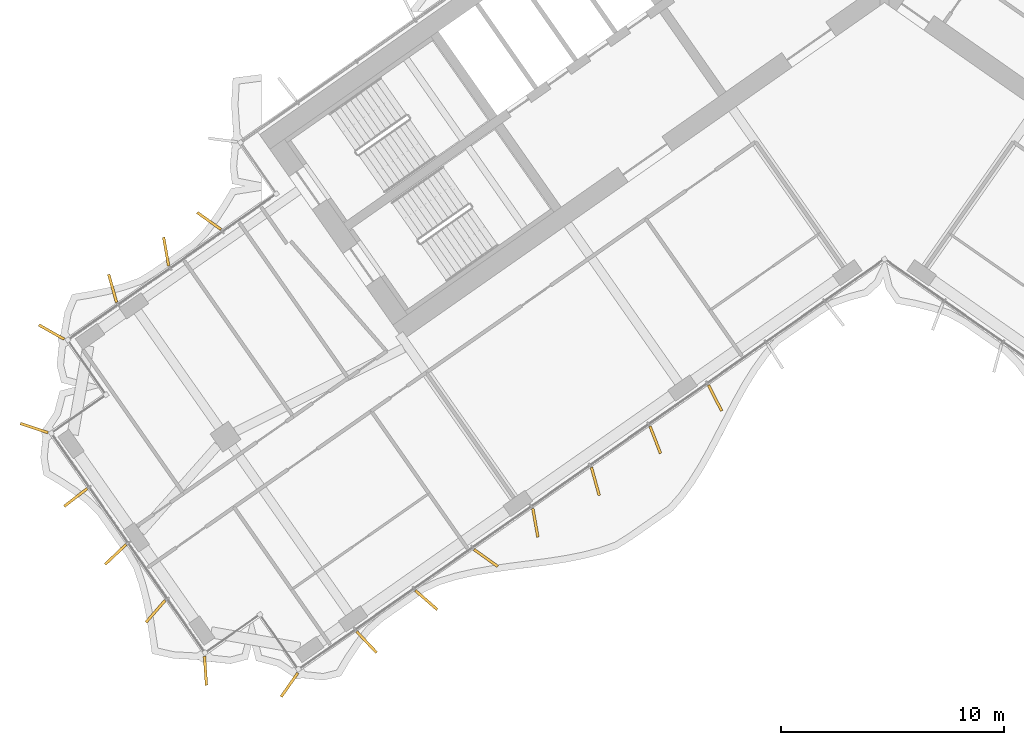
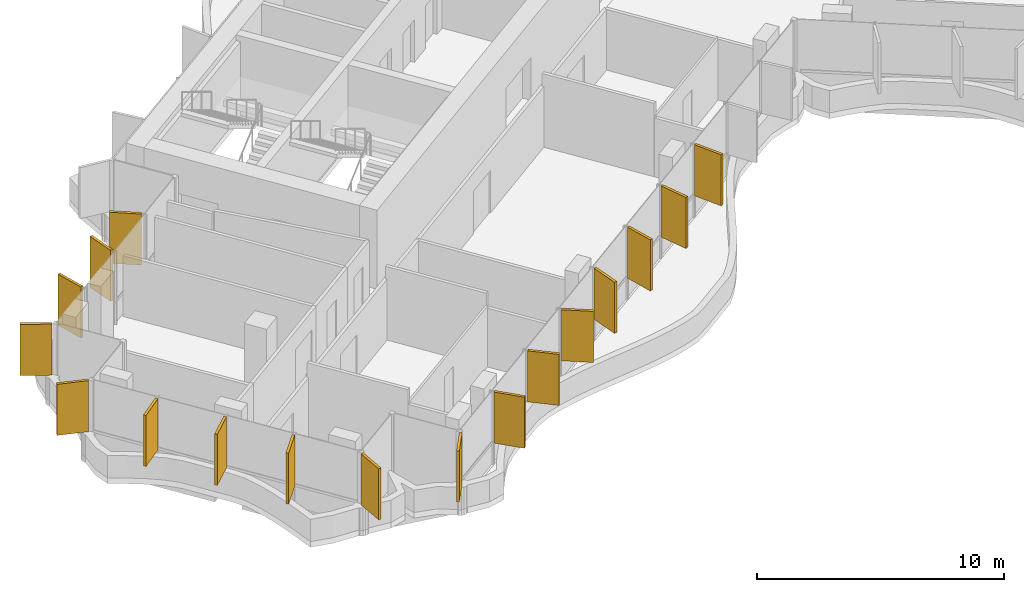
# One storey, part 19 of 23: 17 shading devices.
"""IFC4 building model written with IfcOpenShell, lengths in metres."""

import ifcopenshell
import ifcopenshell.guid

model = None  # the IFC model being written
_history = None  # IfcOwnerHistory: only IFC2X3 demands one
_inside = {}  # id of a spatial element -> (the spatial element, [elements in it])
_under = {}  # id of a project, library or spatial element -> (it, [spatial elements below it])
_declared = {}  # id of a project -> (the project, [libraries it declares])
_typed = {}  # id of a type object -> (the type object, [elements of that type])
_made_of = {}  # id of a material, layer set ... -> (it, [elements and type objects made of it])


def new_model(schema):
    """Start an empty IFC model of exactly this schema.

    Asked for "IFC4X3", IfcOpenShell would pick the latest addendum, in which some entities
    have other attributes; the version numbers below select the first issue.
    IFC2X3 requires an IfcOwnerHistory on every rooted entity: one is made here for all.
    """
    global model, _history
    if schema == "IFC4X3":
        model = ifcopenshell.file(schema_version=(4, 3, 0, 0))
    else:
        model = ifcopenshell.file(schema=schema)
    _inside.clear()
    _under.clear()
    _declared.clear()
    _typed.clear()
    _made_of.clear()
    _history = None
    if model.schema == "IFC2X3":
        org = make("IfcOrganization", Name="unknown")
        user = make(
            "IfcPersonAndOrganization",
            ThePerson=make("IfcPerson", FamilyName="unknown"),
            TheOrganization=org,
        )
        app = make(
            "IfcApplication",
            ApplicationDeveloper=org,
            Version="unknown",
            ApplicationFullName="unknown",
            ApplicationIdentifier="unknown",
        )
        _history = make(
            "IfcOwnerHistory",
            OwningUser=user,
            OwningApplication=app,
            ChangeAction="ADDED",
            CreationDate=0,
        )
    return model


def make(cls, **values):
    """One entity of the class cls with the attributes given. An attribute that is None is left unset."""
    return model.create_entity(
        cls, **{name: value for name, value in values.items() if value is not None}
    )


def rooted(cls, **values):
    """An entity with a GlobalId (a new one), such as an element, a storey or a relation."""
    return make(cls, GlobalId=ifcopenshell.guid.new(), OwnerHistory=_history, **values)


def si_unit(unit_type, name, prefix=None):
    """IfcSIUnit, for example si_unit("LENGTHUNIT", "METRE", prefix="MILLI")."""
    return make("IfcSIUnit", UnitType=unit_type, Prefix=prefix, Name=name)


def assignment(units):
    """IfcUnitAssignment: the units of a project."""
    return None if units is None else make("IfcUnitAssignment", Units=units)


def point(xyz):
    """IfcCartesianPoint."""
    return None if xyz is None else make("IfcCartesianPoint", Coordinates=xyz)


def direction(xyz):
    """IfcDirection."""
    return None if xyz is None else make("IfcDirection", DirectionRatios=xyz)


def frame(location, z_axis=None, x_axis=None):
    """IfcAxis2Placement3D, a coordinate frame: its origin and axes. An axis left out is left unset."""
    return make(
        "IfcAxis2Placement3D",
        Location=point(location),
        Axis=direction(z_axis),
        RefDirection=direction(x_axis),
    )


def frame_2d(location, x_axis=None):
    """IfcAxis2Placement2D, a coordinate frame in the plane: its origin and x axis."""
    return make(
        "IfcAxis2Placement2D", Location=point(location), RefDirection=direction(x_axis)
    )


def origin():
    """The frame at (0, 0, 0) with its axes left unset."""
    return frame((0.0, 0.0, 0.0))


def origin_2d():
    """The frame at (0, 0) in the plane with its x axis left unset."""
    return frame_2d((0.0, 0.0))


def place(relative_to, where):
    """IfcLocalPlacement: puts the frame where relative to a parent placement (None: the world)."""
    return make(
        "IfcLocalPlacement", PlacementRelTo=relative_to, RelativePlacement=where
    )


def context(
    kind, dimensions, precision=None, world=None, true_north=None, identifier=None
):
    """IfcGeometricRepresentationContext, for example the 3D "Model" context."""
    return make(
        "IfcGeometricRepresentationContext",
        ContextIdentifier=identifier,
        ContextType=kind,
        CoordinateSpaceDimension=dimensions,
        Precision=precision,
        WorldCoordinateSystem=world,
        TrueNorth=true_north,
    )


def subcontext(parent, identifier, kind, view, scale=None):
    """IfcGeometricRepresentationSubContext, for example "Body" below "Model"."""
    return make(
        "IfcGeometricRepresentationSubContext",
        ContextIdentifier=identifier,
        ContextType=kind,
        ParentContext=parent,
        TargetScale=scale,
        TargetView=view,
    )


def project(units=None, contexts=None):
    """IfcProject with its units and contexts."""
    return rooted(
        "IfcProject",
        Name="project",
        RepresentationContexts=contexts,
        UnitsInContext=assignment(units),
    )


def spatial(cls, under=None, at=None, **own):
    """A site, building, storey or space (cls), placed at a placement, below another one or the project."""
    s = rooted(cls, ObjectPlacement=at, **own)
    if under is not None:
        _under.setdefault(under.id(), (under, []))[1].append(s)
    return s


def profile(cls, at=None, kind="AREA", **sizes):
    """A parametric profile (cls). Its sizes go by their IFC names, for example OverallWidth=200.0."""
    return make(cls, ProfileType=kind, Position=at, **sizes)


def rectangle(**sizes):
    """IfcRectangleProfileDef."""
    return profile("IfcRectangleProfileDef", **sizes)


def extrude(swept, where, along, depth):
    """IfcExtrudedAreaSolid: the profile swept, set in the frame where, extruded along a direction by depth."""
    return make(
        "IfcExtrudedAreaSolid",
        SweptArea=swept,
        Position=where,
        ExtrudedDirection=direction(along),
        Depth=depth,
    )


def shape(context_of_items, identifier, shape_type, items):
    """IfcShapeRepresentation: the items that make up one representation, for example the "Body"."""
    return make(
        "IfcShapeRepresentation",
        ContextOfItems=context_of_items,
        RepresentationIdentifier=identifier,
        RepresentationType=shape_type,
        Items=items,
    )


def material(Name=None, Category=None):
    """IfcMaterial."""
    return make("IfcMaterial", Name=Name, Category=Category)


def layer(
    of_material, thickness, ventilated=None, Name=None, Category=None, Priority=None
):
    """IfcMaterialLayer: one layer of a wall or slab, of a material (None: an air gap)."""
    return make(
        "IfcMaterialLayer",
        Material=of_material,
        LayerThickness=thickness,
        IsVentilated=ventilated,
        Name=Name,
        Category=Category,
        Priority=Priority,
    )


def layer_set(layers, Name=None):
    """IfcMaterialLayerSet."""
    return make("IfcMaterialLayerSet", MaterialLayers=layers, LayerSetName=Name)


def made_of(thing, what):
    """Note that an element or type object is made of a material, layer set ...; save() writes the relation."""
    if what is not None:
        _made_of.setdefault(what.id(), (what, []))[1].append(thing)
    return thing


def type_object(cls, material=None, **own):
    """A type object (cls), such as IfcWallType, which elements share."""
    return made_of(rooted(cls, **own), material)


def element(
    cls,
    number,
    at=None,
    inside=None,
    cuts=None,
    type_object=None,
    material=None,
    context=None,
    identifier="Body",
    shape_type=None,
    held_by="IfcProductDefinitionShape",
    body=None,
    shapes=None,
    **own,
):
    """One element of the class cls, such as IfcWall. Its Tag is "e" and its number.

    at: its placement. inside: the storey or other place that contains it. cuts: it is an
    opening in that element (IfcRelVoidsElement). A single representation is given by context,
    identifier, shape_type and body (its items); several are given by shapes. held_by: the class
    of the entity that holds the representations. save() writes the other relations.
    """
    e = rooted(cls, Tag="e%d" % number, ObjectPlacement=at, **own)
    if body is not None:
        shapes = [shape(context, identifier, shape_type, body)]
    if shapes is not None:
        e.Representation = make(held_by, Representations=shapes)
    if inside is not None:
        _inside.setdefault(inside.id(), (inside, []))[1].append(e)
    if cuts is not None:
        rooted(
            "IfcRelVoidsElement", RelatingBuildingElement=cuts, RelatedOpeningElement=e
        )
    if type_object is not None:
        _typed.setdefault(type_object.id(), (type_object, []))[1].append(e)
    return made_of(e, material)


def aggregate(whole, parts):
    """IfcRelAggregates: a whole, such as a stair, and the parts it consists of."""
    return rooted("IfcRelAggregates", RelatingObject=whole, RelatedObjects=parts)


def save(model, path):
    """Write the relations noted so far, then the file.

    IfcRelAggregates (storeys below a building ...), IfcRelContainedInSpatialStructure (elements
    in a storey), IfcRelDefinesByType, IfcRelAssociatesMaterial and IfcRelDeclares: one each for
    every whole, place, type object, material and project.
    """
    for whole, parts in _under.values():
        aggregate(whole, parts)
    for where, things in _inside.values():
        rooted(
            "IfcRelContainedInSpatialStructure",
            RelatedElements=things,
            RelatingStructure=where,
        )
    for kind, things in _typed.values():
        rooted("IfcRelDefinesByType", RelatedObjects=things, RelatingType=kind)
    for what, things in _made_of.values():
        rooted("IfcRelAssociatesMaterial", RelatedObjects=things, RelatingMaterial=what)
    for by, libraries in _declared.values():
        rooted("IfcRelDeclares", RelatingContext=by, RelatedDefinitions=libraries)
    model.write(path)


model = new_model("IFC4")

# Units and contexts
model_context = context("Model", 3, precision=1e-05, world=origin(), true_north=direction((0.0, 1.0)))
body_context = subcontext(model_context, "Body", "Model", "MODEL_VIEW")
ifc_project = project(units=[si_unit("LENGTHUNIT", "METRE"), si_unit("AREAUNIT", "SQUARE_METRE"), si_unit("VOLUMEUNIT", "CUBIC_METRE"), si_unit("PLANEANGLEUNIT", "RADIAN"), si_unit("MASSUNIT", "GRAM", prefix="KILO")], contexts=[model_context])

# Site, building, storey
site_placement = place(None, origin())
site = spatial("IfcSite", under=ifc_project, at=site_placement, CompositionType="ELEMENT")
building_placement = place(site_placement, origin())
building = spatial("IfcBuilding", under=site, at=building_placement, Name="Tel Ilan Convention Tower", CompositionType="ELEMENT")
storey_placement = place(building_placement, frame((0.0, 0.0, 178.800048828125)))
storey = spatial("IfcBuildingStorey", under=building, at=storey_placement, Name="L41", CompositionType="ELEMENT", Elevation=178.800048828125)

# Shading devices
ifc_material = material(Name="Aluminium, bronze anodised", Category="aluminium")
ifc_layer = layer(ifc_material, 0.1201171875)
ifc_layer_set = layer_set([ifc_layer], Name="FIN BRONZE 1300x120")
shading_device_type = type_object("IfcShadingDeviceType", Name="FIN BRONZE 1300x120", PredefinedType="USERDEFINED", material=ifc_layer_set)
for number, where, z_axis, x_axis, name in (
    (1, (-30.227294921875, -10.993408203125, 1.099853515625), (0.0, 0.0, 1.0), (-0.813552070258, 0.581492071294, 0.0), "FIN"),
    (2, (-32.149169921875, -12.361572265625, 1.099853515625), (0.0, 0.0, 1.0), (-0.173648177667, 0.984807753012, 0.0), "FIN"),
    (3, (-34.5419921875, -14.0146484375, 1.099853515625), (0.0, 0.0, 1.0), (-0.268172612768, 0.963370878614, 0.0), "FIN"),
    (4, (-37.2763671875, -15.968505859375, 1.099853515625), (0.0, 0.0, 1.0), (-0.870832754082, 0.491579408049, 0.0), "FIN"),
    (5, (-38.052978515625, -20.263671875, 1.099853515625), (0.0, 0.0, 1.0), (-0.949242643575, 0.314544756146, 0.0), "FIN"),
    (6, (-36.194091796875, -23.36767578125, 1.099853515625), (0.0, 0.0, 1.0), (-0.790392669516, -0.612600545196, 0.0), "FIN"),
    (7, (-34.408447265625, -25.917236328125, 1.099853515625), (0.0, 0.0, 1.0), (-0.727373641577, -0.686241637865, 0.0), "FIN"),
    (8, (-32.618408203125, -28.462646484375, 1.099853515625), (0.0, 0.0, 1.0), (-0.657521368568, -0.753435896329, 0.0), "FIN"),
    (9, (-30.388671875, -31.12548828125, 1.099853515625), (0.0, 0.0, 1.0), (0.067821812994, -0.997697449973, 0.0), "FIN"),
    (10, (-26.629150390625, -31.7568359375, 1.099853515625), (0.0, 0.0, 1.0), (-0.573576436351, -0.819152044289, 0.0), "FIN"),
    (11, (-23.176025390625, -29.84130859375, 1.099853515625), (0.0, 0.0, 1.0), (0.686241637865, -0.727373641577, 0.0), "FIN"),
    (12, (-20.50390625, -27.96240234375, 1.099853515625), (0.0, 0.0, 1.0), (0.753435896329, -0.657521368568, 0.0), "FIN"),
    (13, (-17.83642578125, -26.079345703125, 1.099853515625), (0.0, 0.0, 1.0), (0.813552070258, -0.581492071294, 0.0), "FIN"),
    (14, (-15.6240234375, -24.5078125, 1.099853515625), (0.0, 0.0, 1.0), (0.173648177667, -0.984807753012, 0.0), "FIN"),
    (15, (-12.9404296875, -22.651123046875, 1.099853515625), (0.0, 0.0, 1.0), (0.268172612768, -0.963370878614, 0.0), "FIN"),
    (16, (-10.2587890625, -20.78857421875, 1.099853515625), (0.0, 0.0, 1.0), (0.360177724803, -0.932883704733, 0.0), "FIN"),
    (17, (-7.5791015625, -18.920166015625, 1.099853515625), (0.0, 0.0, 1.0), (0.448799180206, -0.893632640321, 0.0), "FIN"),
):
    element("IfcShadingDevice", number, at=place(storey_placement, frame(where, z_axis=z_axis, x_axis=x_axis)), inside=storey, type_object=shading_device_type, Name=name, ObjectType="FIN", PredefinedType="USERDEFINED", context=body_context, shape_type="SweptSolid", body=[
        extrude(rectangle(XDim=1.300048828125, YDim=0.1201171875, at=origin_2d()), origin(), (0.0, 0.0, 1.0), 2.52001953125),
    ])

save(model, "model.ifc")
